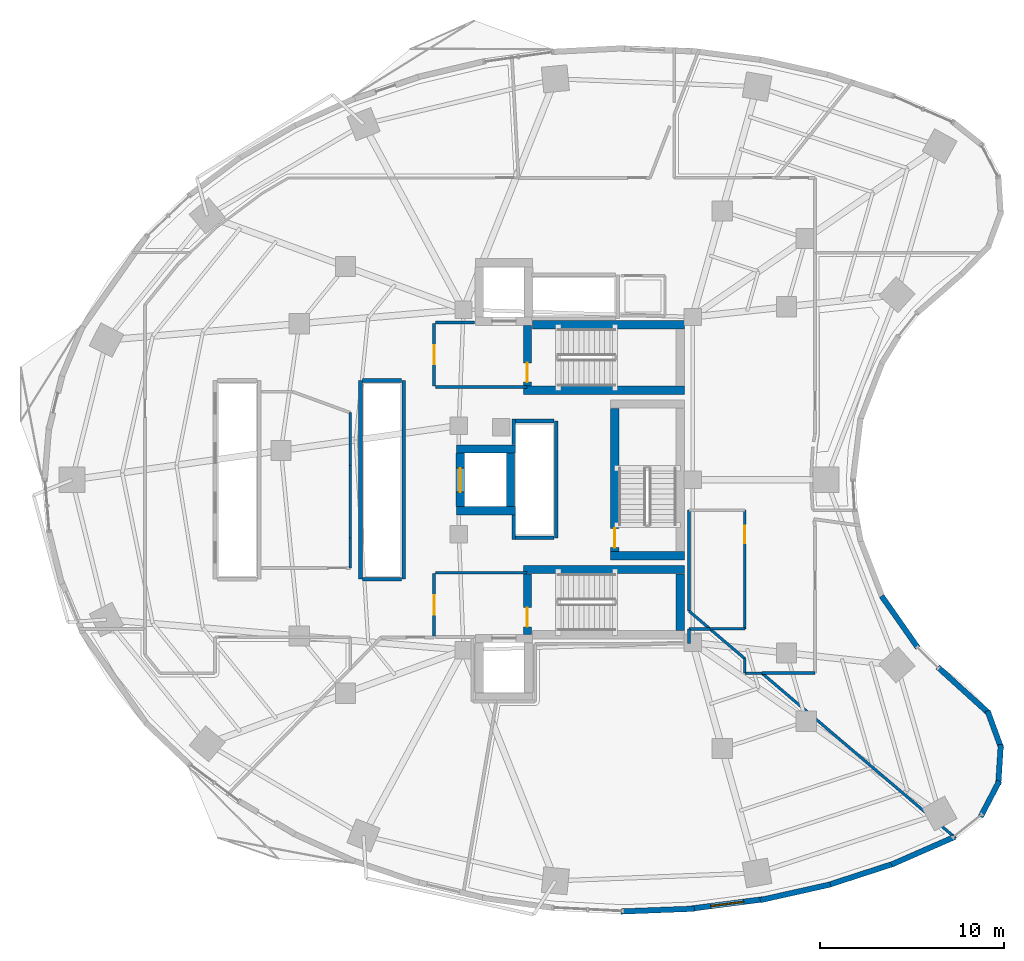
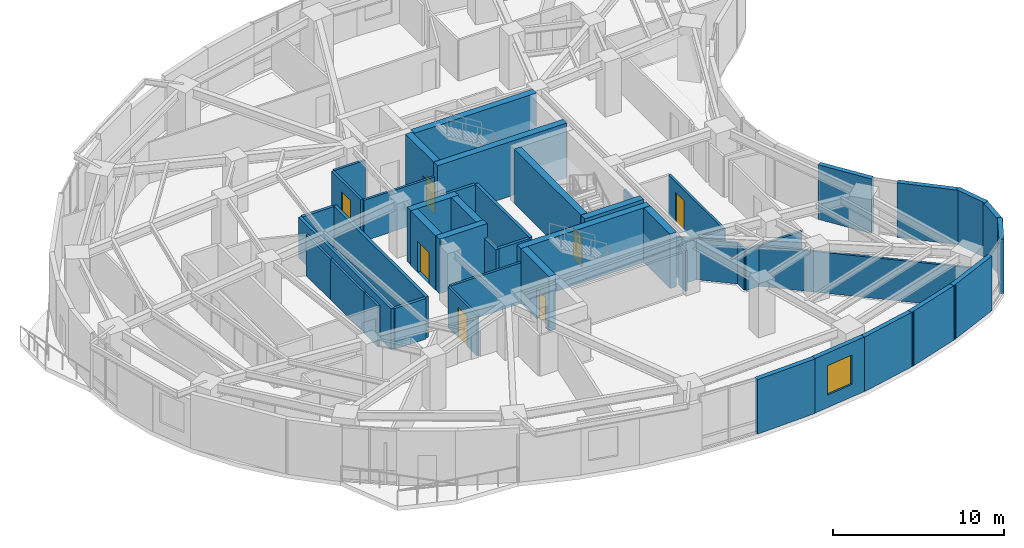
# One storey, part 9 of 14: 50 walls, 7 doors, 1 window, 8 openings.
"""IFC4 building model written with IfcOpenShell, lengths in metres."""

from ifc_helpers import new_model, si_unit, direction, frame, frame_2d, origin, place, context, subcontext, project, spatial, rectangle, extrude, material, layer, layer_set, type_object, element, fill, save


model = new_model("IFC4")

# Units and contexts
model_context = context("Model", 3, precision=1e-05, world=origin(), true_north=direction((0.0, 1.0)))
body_context = subcontext(model_context, "Body", "Model", "MODEL_VIEW")
ifc_project = project(units=[si_unit("LENGTHUNIT", "METRE"), si_unit("AREAUNIT", "SQUARE_METRE"), si_unit("VOLUMEUNIT", "CUBIC_METRE"), si_unit("PLANEANGLEUNIT", "RADIAN"), si_unit("MASSUNIT", "GRAM", prefix="KILO")], contexts=[model_context])

# Site, building, storey
site_placement = place(None, origin())
site = spatial("IfcSite", under=ifc_project, at=site_placement, CompositionType="ELEMENT")
building_placement = place(site_placement, origin())
building = spatial("IfcBuilding", under=site, at=building_placement, Name="Korentha Bioscience Tower", CompositionType="ELEMENT")
storey_placement = place(building_placement, frame((0.0, 0.0, 51.0)))
storey = spatial("IfcBuildingStorey", under=building, at=storey_placement, Name="L11", CompositionType="ELEMENT", Elevation=51.0)

# Wall, opening, door
ifc_material_1 = material(Name="Double-Stud Acoustic Gypsum", Category="gypsum")
ifc_layer_1 = layer(ifc_material_1, 0.14990234375, Name="Double-Stud Acoustic Gypsum")
ifc_layer_set_1 = layer_set([ifc_layer_1], Name="Double-Stud Acoustic Gypsum (IW-L150)")
wall_type_1 = type_object("IfcWallType", Name="Acoustic Laboratory Partition Wall 150", PredefinedType="PARTITIONING", material=ifc_layer_set_1)
wall_1_placement = place(storey_placement, frame((40.389892578125, 25.347900390625, 0.0), z_axis=(0.0, 0.0, 1.0), x_axis=(0.0, -1.0, 0.0)))
wall_1 = element("IfcWall", 1, at=wall_1_placement, inside=storey, type_object=wall_type_1, Name="L11 Biomechanical Motion Analysis Lab 04 Entrance Wall", PredefinedType="PARTITIONING", context=body_context, shape_type="SweptSolid", body=[
    extrude(rectangle(XDim=6.44580078125, YDim=0.14990234375, at=frame_2d((3.222900390625, 0.0))), origin(), (0.0, 0.0, 1.0), 2.909912109375),
])
opening_1_placement = place(wall_1_placement, frame((0.85205078125, 0.0, 0.0)))
opening_1 = element("IfcOpeningElement", 2, at=opening_1_placement, cuts=wall_1, Name="Opening ID-10R", PredefinedType="OPENING", context=body_context, shape_type="SweptSolid", body=[
    extrude(rectangle(XDim=0.949951171875, YDim=2.14990234375, at=frame_2d((0.47509765625, 1.074951171875))), frame((0.0, 0.08984375, 0.0), z_axis=(0.0, -1.0, 0.0), x_axis=(1.0, 0.0, 0.0)), (0.0, 0.0, 1.0), 0.1796875),
])
ifc_material_2 = material(Name="Phenolic Laminate Timber Core", Category="wood")
door_type_1 = type_object("IfcDoorType", Name="Laboratory Single Leaf Door 950x2150 Right", OperationType="SINGLE_SWING_RIGHT", PredefinedType="DOOR", material=ifc_material_2)
door_1_placement = place(opening_1_placement, origin())
door_1 = element("IfcDoor", 3, at=door_1_placement, inside=storey, type_object=door_type_1, Name="L11 Biomechanical Motion Analysis Lab 04 Door", OperationType="SINGLE_SWING_RIGHT", OverallHeight=2.14990234375, OverallWidth=0.949951171875, PredefinedType="DOOR", context=body_context, shape_type="SweptSolid", body=[
    extrude(rectangle(XDim=0.949951171875, YDim=2.14990234375, at=frame_2d((0.47509765625, 1.074951171875))), frame((0.0, 0.02490234375, 0.0), z_axis=(0.0, -1.0, 0.0), x_axis=(1.0, 0.0, 0.0)), (0.0, 0.0, 1.0), 0.050048828125),
])
fill(opening_1, door_1)

# Walls
wall_2_placement = place(storey_placement, frame((18.947998046875, 30.646728515625, 0.0), z_axis=(0.0, 0.0, 1.0), x_axis=(0.0, -1.0, 0.0)))
element("IfcWall", 4, at=wall_2_placement, inside=storey, type_object=wall_type_1, Name="L11 Interior Partition 017", PredefinedType="PARTITIONING", context=body_context, shape_type="SweptSolid", body=[
    extrude(rectangle(XDim=2.873291015625, YDim=0.14990234375, at=frame_2d((1.4365234375, 0.0))), origin(), (0.0, 0.0, 1.0), 2.909912109375),
])
wall_3_placement = place(storey_placement, frame((18.947998046875, 27.769287109375, 0.0), z_axis=(0.0, 0.0, 1.0), x_axis=(0.0, -1.0, 0.0)))
element("IfcWall", 5, at=wall_3_placement, inside=storey, type_object=wall_type_1, Name="L11 Interior Partition 018", PredefinedType="PARTITIONING", context=body_context, shape_type="SweptSolid", body=[
    extrude(rectangle(XDim=3.927978515625, YDim=0.14990234375, at=frame_2d((1.9638671875, 0.0))), origin(), (0.0, 0.0, 1.0), 2.909912109375),
])
wall_4_placement = place(storey_placement, frame((18.947998046875, 23.836669921875, 0.0), z_axis=(0.0, 0.0, 1.0), x_axis=(0.0, -1.0, 0.0)))
element("IfcWall", 6, at=wall_4_placement, inside=storey, type_object=wall_type_1, Name="L11 Interior Partition 019", PredefinedType="PARTITIONING", context=body_context, shape_type="SweptSolid", body=[
    extrude(rectangle(XDim=1.626708984375, YDim=0.14990234375, at=frame_2d((0.8134765625, 0.0))), origin(), (0.0, 0.0, 1.0), 2.909912109375),
])
wall_5_placement = place(storey_placement, frame((37.360107421875, 18.10009765625, 0.0), z_axis=(0.0, 0.0, 1.0), x_axis=(0.0, 1.0, 0.0)))
element("IfcWall", 7, at=wall_5_placement, inside=storey, type_object=wall_type_1, Name="L11 Interior Partition 033", PredefinedType="PARTITIONING", context=body_context, shape_type="SweptSolid", body=[
    extrude(rectangle(XDim=0.7978515625, YDim=0.14990234375, at=frame_2d((0.39892578125, 0.0))), origin(), (0.0, 0.0, 1.0), 2.909912109375),
])
wall_6_placement = place(storey_placement, frame((37.360107421875, 18.89794921875, 0.0), z_axis=(0.0, 0.0, 1.0), x_axis=(1.0, 0.0, 0.0)))
element("IfcWall", 8, at=wall_6_placement, inside=storey, type_object=wall_type_1, Name="L11 Interior Partition 034", PredefinedType="PARTITIONING", context=body_context, shape_type="SweptSolid", body=[
    extrude(rectangle(XDim=1.12548828125, YDim=0.14990234375, at=frame_2d((0.562744140625, 0.0))), origin(), (0.0, 0.0, 1.0), 2.909912109375),
])
wall_7_placement = place(storey_placement, frame((38.48828125, 18.905029296875, 0.0), z_axis=(0.0, 0.0, 1.0), x_axis=(-0.761520352861, 0.648140997144, 0.0)))
element("IfcWall", 9, at=wall_7_placement, inside=storey, type_object=wall_type_1, Name="L11 Interior Partition 035", PredefinedType="PARTITIONING", context=body_context, shape_type="SweptSolid", body=[
    extrude(rectangle(XDim=1.4814453125, YDim=0.14990234375, at=frame_2d((0.74072265625, 0.0))), origin(), (0.0, 0.0, 1.0), 2.909912109375),
])
wall_8_placement = place(storey_placement, frame((37.360107421875, 19.865234375, 0.0), z_axis=(0.0, 0.0, 1.0), x_axis=(0.0, 1.0, 0.0)))
element("IfcWall", 10, at=wall_8_placement, inside=storey, type_object=wall_type_1, Name="L11 Interior Partition 036", PredefinedType="PARTITIONING", context=body_context, shape_type="SweptSolid", body=[
    extrude(rectangle(XDim=5.482666015625, YDim=0.14990234375, at=frame_2d((2.7412109375, 0.0))), origin(), (0.0, 0.0, 1.0), 2.909912109375),
])
wall_9_placement = place(storey_placement, frame((40.389892578125, 18.902099609375, 0.0), z_axis=(0.0, 0.0, 1.0), x_axis=(-1.0, 0.0, 0.0)))
element("IfcWall", 11, at=wall_9_placement, inside=storey, type_object=wall_type_1, Name="L11 Interior Partition 038", PredefinedType="PARTITIONING", context=body_context, shape_type="SweptSolid", body=[
    extrude(rectangle(XDim=1.893310546875, YDim=0.14990234375, at=frame_2d((0.94677734375, 0.0))), origin(), (0.0, 0.0, 1.0), 2.909912109375),
])
wall_10_placement = place(storey_placement, frame((38.493896484375, 18.89501953125, 0.0), z_axis=(0.0, 0.0, 1.0), x_axis=(0.761508496716, -0.648154927027, 0.0)))
element("IfcWall", 12, at=wall_10_placement, inside=storey, type_object=wall_type_1, Name="L11 Interior Partition 039", PredefinedType="PARTITIONING", context=body_context, shape_type="SweptSolid", body=[
    extrude(rectangle(XDim=2.48974609375, YDim=0.14990234375, at=frame_2d((1.244873046875, 0.0))), origin(), (0.0, 0.0, 1.0), 2.909912109375),
])
wall_11_placement = place(storey_placement, frame((40.389892578125, 17.28125, 0.0), z_axis=(0.0, 0.0, 1.0), x_axis=(0.0, -1.0, 0.0)))
element("IfcWall", 13, at=wall_11_placement, inside=storey, type_object=wall_type_1, Name="L11 Interior Partition 040", PredefinedType="PARTITIONING", context=body_context, shape_type="SweptSolid", body=[
    extrude(rectangle(XDim=0.78125, YDim=0.14990234375, at=frame_2d((0.390625, 0.0))), origin(), (0.0, 0.0, 1.0), 2.909912109375),
])
wall_12_placement = place(storey_placement, frame((40.39990234375, 16.489990234375, 0.0), z_axis=(0.0, 0.0, 1.0), x_axis=(1.0, 0.0, 0.0)))
element("IfcWall", 14, at=wall_12_placement, inside=storey, type_object=wall_type_1, Name="L11 Interior Partition 041", PredefinedType="PARTITIONING", context=body_context, shape_type="SweptSolid", body=[
    extrude(rectangle(XDim=0.919677734375, YDim=0.14990234375, at=frame_2d((0.4599609375, 0.0))), origin(), (0.0, 0.0, 1.0), 2.909912109375),
])
wall_13_placement = place(storey_placement, frame((41.319580078125, 16.489990234375, 0.0), z_axis=(0.0, 0.0, 1.0), x_axis=(0.761541613682, -0.648116016335, 0.0)))
element("IfcWall", 15, at=wall_13_placement, inside=storey, type_object=wall_type_1, Name="L11 Interior Partition 042", PredefinedType="PARTITIONING", context=body_context, shape_type="SweptSolid", body=[
    extrude(rectangle(XDim=13.833740234375, YDim=0.14990234375, at=frame_2d((6.9169921875, 0.0))), origin(), (0.0, 0.0, 1.0), 2.909912109375),
])

# Wall, opening, door
ifc_material_3 = material(Name="Gypsum-Clad Steel Stud", Category="steel")
ifc_layer_2 = layer(ifc_material_3, 0.159912109375, Name="Gypsum-Clad Steel Stud")
ifc_layer_set_2 = layer_set([ifc_layer_2], Name="Gypsum-Clad Steel Stud (IW-C160)")
wall_type_2 = type_object("IfcWallType", Name="Fire-Rated Corridor Partition Wall 160", PredefinedType="PARTITIONING", material=ifc_layer_set_2)
wall_14_placement = place(storey_placement, frame((23.5, 32.10009765625, 0.0), z_axis=(0.0, 0.0, 1.0), x_axis=(0.0, 1.0, 0.0)))
wall_14 = element("IfcWall", 16, at=wall_14_placement, inside=storey, type_object=wall_type_2, Name="L11 FFLN-CW Rated Enclosure Wall", PredefinedType="PARTITIONING", context=body_context, shape_type="SweptSolid", body=[
    extrude(rectangle(XDim=3.39990234375, YDim=0.159912109375, at=frame_2d((1.699951171875, 0.0))), origin(), (0.0, 0.0, 1.0), 2.909912109375),
])
opening_2_placement = place(wall_14_placement, frame((1.175048828125, 0.0, 0.0)))
opening_2 = element("IfcOpeningElement", 17, at=opening_2_placement, cuts=wall_14, Name="Opening FD-90R", PredefinedType="OPENING", context=body_context, shape_type="SweptSolid", body=[
    extrude(rectangle(XDim=1.050048828125, YDim=2.14990234375, at=frame_2d((0.52490234375, 1.074951171875))), frame((0.0, 0.0947265625, 0.0), z_axis=(0.0, -1.0, 0.0), x_axis=(1.0, 0.0, 0.0)), (0.0, 0.0, 1.0), 0.189697265625),
])
ifc_material_4 = material(Name="Powder-Coated Fire-Rated Steel", Category="steel")
door_type_2 = type_object("IfcDoorType", Name="Stairwell Fire Exit Door 1050x2150 Right", OperationType="SINGLE_SWING_RIGHT", PredefinedType="DOOR", material=ifc_material_4)
door_2_placement = place(opening_2_placement, origin())
door_2 = element("IfcDoor", 18, at=door_2_placement, inside=storey, type_object=door_type_2, Name="L11 North Firefighting Lobby Door", OperationType="SINGLE_SWING_RIGHT", OverallHeight=2.14990234375, OverallWidth=1.050048828125, PredefinedType="DOOR", context=body_context, shape_type="SweptSolid", body=[
    extrude(rectangle(XDim=1.050048828125, YDim=2.14990234375, at=frame_2d((0.52490234375, 1.074951171875))), frame((0.0, 0.02490234375, 0.0), z_axis=(0.0, -1.0, 0.0), x_axis=(1.0, 0.0, 0.0)), (0.0, 0.0, 1.0), 0.050048828125),
])
fill(opening_2, door_2)

wall_15_placement = place(storey_placement, frame((23.5, 18.5, 0.0), z_axis=(0.0, 0.0, 1.0), x_axis=(0.0, 1.0, 0.0)))
wall_15 = element("IfcWall", 19, at=wall_15_placement, inside=storey, type_object=wall_type_2, Name="L11 FFLS-CW Rated Enclosure Wall", PredefinedType="PARTITIONING", context=body_context, shape_type="SweptSolid", body=[
    extrude(rectangle(XDim=3.39990234375, YDim=0.159912109375, at=frame_2d((1.699951171875, 0.0))), origin(), (0.0, 0.0, 1.0), 2.909912109375),
])
opening_3_placement = place(wall_15_placement, frame((1.175048828125, 0.0, 0.0)))
opening_3 = element("IfcOpeningElement", 20, at=opening_3_placement, cuts=wall_15, Name="Opening FD-90R", PredefinedType="OPENING", context=body_context, shape_type="SweptSolid", body=[
    extrude(rectangle(XDim=1.050048828125, YDim=2.14990234375, at=frame_2d((0.52490234375, 1.074951171875))), frame((0.0, 0.0947265625, 0.0), z_axis=(0.0, -1.0, 0.0), x_axis=(1.0, 0.0, 0.0)), (0.0, 0.0, 1.0), 0.189697265625),
])
door_3_placement = place(opening_3_placement, origin())
door_3 = element("IfcDoor", 21, at=door_3_placement, inside=storey, type_object=door_type_2, Name="L11 South Firefighting Lobby Door", OperationType="SINGLE_SWING_RIGHT", OverallHeight=2.14990234375, OverallWidth=1.050048828125, PredefinedType="DOOR", context=body_context, shape_type="SweptSolid", body=[
    extrude(rectangle(XDim=1.050048828125, YDim=2.14990234375, at=frame_2d((0.52490234375, 1.074951171875))), frame((0.0, 0.02490234375, 0.0), z_axis=(0.0, -1.0, 0.0), x_axis=(1.0, 0.0, 0.0)), (0.0, 0.0, 1.0), 0.050048828125),
])
fill(opening_3, door_3)

# Walls
wall_16_placement = place(storey_placement, frame((23.580078125, 32.050048828125, 0.0), z_axis=(0.0, 0.0, 1.0), x_axis=(1.0, 0.0, 0.0)))
element("IfcWall", 22, at=wall_16_placement, inside=storey, type_object=wall_type_2, Name="L11 Firefighting Lobby Return Wall FFLN-S", PredefinedType="PARTITIONING", context=body_context, shape_type="SweptSolid", body=[
    extrude(rectangle(XDim=4.969970703125, YDim=0.159912109375, at=frame_2d((2.48486328125, 0.0))), origin(), (0.0, 0.0, 1.0), 2.909912109375),
])
wall_17_placement = place(storey_placement, frame((23.580078125, 35.550048828125, 0.0), z_axis=(0.0, 0.0, 1.0), x_axis=(1.0, 0.0, 0.0)))
element("IfcWall", 23, at=wall_17_placement, inside=storey, type_object=wall_type_2, Name="L11 Firefighting Lobby Return Wall FFLN-N", PredefinedType="PARTITIONING", context=body_context, shape_type="SweptSolid", body=[
    extrude(rectangle(XDim=2.119873046875, YDim=0.159912109375, at=frame_2d((1.06005859375, 0.0))), origin(), (0.0, 0.0, 1.0), 2.909912109375),
])
wall_18_placement = place(storey_placement, frame((23.580078125, 21.949951171875, 0.0), z_axis=(0.0, 0.0, 1.0), x_axis=(1.0, 0.0, 0.0)))
element("IfcWall", 24, at=wall_18_placement, inside=storey, type_object=wall_type_2, Name="L11 Firefighting Lobby Return Wall FFLS-N", PredefinedType="PARTITIONING", context=body_context, shape_type="SweptSolid", body=[
    extrude(rectangle(XDim=4.969970703125, YDim=0.159912109375, at=frame_2d((2.48486328125, 0.0))), origin(), (0.0, 0.0, 1.0), 2.909912109375),
])
wall_19_placement = place(storey_placement, frame((41.335205078125, 16.489990234375, 0.0), z_axis=(0.0, 0.0, 1.0), x_axis=(1.0, 0.0, 0.0)))
element("IfcWall", 25, at=wall_19_placement, inside=storey, type_object=wall_type_2, Name="L11 Interior Partition 044", PredefinedType="PARTITIONING", context=body_context, shape_type="SweptSolid", body=[
    extrude(rectangle(XDim=2.86474609375, YDim=0.159912109375, at=frame_2d((1.432373046875, 0.0))), origin(), (0.0, 0.0, 1.0), 2.909912109375),
])

# Wall, opening, window
ifc_material_5 = material(Name="Honed Limestone Precast Concrete C40", Category="masonry")
ifc_layer_3 = layer(ifc_material_5, 0.300048828125, Name="Honed Limestone Precast Concrete C40")
ifc_layer_set_3 = layer_set([ifc_layer_3], Name="Honed Limestone Precast Concrete C40 (EW-ST300)")
wall_type_3 = type_object("IfcWallType", Name="Honed Limestone Cavity Spandrel Wall 300", PredefinedType="STANDARD", material=ifc_layer_set_3)
wall_20_placement = place(storey_placement, frame((37.4892578125, 3.7001953125, 0.0), z_axis=(0.0, 0.0, 1.0), x_axis=(0.991741322416, 0.128254237408, 0.0)))
wall_20 = element("IfcWall", 26, at=wall_20_placement, inside=storey, type_object=wall_type_3, Name="L11 Honed Limestone Spandrel Wall 33", PredefinedType="STANDARD", context=body_context, shape_type="SweptSolid", body=[
    extrude(rectangle(XDim=3.91552734375, YDim=0.300048828125, at=frame_2d((1.957763671875, 0.0))), origin(), (0.0, 0.0, 1.0), 3.89990234375),
])
opening_4_placement = place(wall_20_placement, frame((1.057861328125, 0.0, 0.89990234375)))
opening_4 = element("IfcOpeningElement", 27, at=opening_4_placement, cuts=wall_20, Name="Opening WN-01", PredefinedType="OPENING", context=body_context, shape_type="SweptSolid", body=[
    extrude(rectangle(XDim=1.800048828125, YDim=2.10009765625, at=frame_2d((0.89990234375, 1.050048828125))), frame((0.0, 0.1650390625, 0.0), z_axis=(0.0, -1.0, 0.0), x_axis=(1.0, 0.0, 0.0)), (0.0, 0.0, 1.0), 0.329833984375),
])
ifc_material_6 = material(Name="Thermally Broken Aluminium Triple Glazing", Category="aluminium")
window_type = type_object("IfcWindowType", Name="Triple-Glazed Fixed Bioscience Window 1800x2100", PartitioningType="SINGLE_PANEL", PredefinedType="WINDOW", material=ifc_material_6)
window_placement = place(opening_4_placement, origin())
window = element("IfcWindow", 28, at=window_placement, inside=storey, type_object=window_type, Name="L11 Facade Window 33", OverallHeight=2.10009765625, OverallWidth=1.800048828125, PartitioningType="SINGLE_PANEL", PredefinedType="WINDOW", context=body_context, shape_type="SweptSolid", body=[
    extrude(rectangle(XDim=1.800048828125, YDim=2.10009765625, at=frame_2d((0.89990234375, 1.050048828125))), frame((0.0, 0.030029296875, 0.0), z_axis=(0.0, -1.0, 0.0), x_axis=(1.0, 0.0, 0.0)), (0.0, 0.0, 1.0), 0.06005859375),
])
fill(opening_4, window)

# Walls
wall_21_placement = place(storey_placement, frame((33.66796875, 3.53759765625, 0.0), z_axis=(0.0, 0.0, 1.0), x_axis=(0.999245411623, 0.038840794937, 0.0)))
element("IfcWall", 29, at=wall_21_placement, inside=storey, type_object=wall_type_3, Name="L11 Limestone Perimeter Closure Wall 32", PredefinedType="STANDARD", context=body_context, shape_type="SweptSolid", body=[
    extrude(rectangle(XDim=3.978759765625, YDim=0.300048828125, at=frame_2d((1.9892578125, 0.0))), origin(), (0.0, 0.0, 1.0), 3.89990234375),
])
wall_22_placement = place(storey_placement, frame((41.22509765625, 4.1552734375, 0.0), z_axis=(0.0, 0.0, 1.0), x_axis=(0.975868573345, 0.218358713032, 0.0)))
element("IfcWall", 30, at=wall_22_placement, inside=storey, type_object=wall_type_3, Name="L11 Limestone Perimeter Closure Wall 34", PredefinedType="STANDARD", context=body_context, shape_type="SweptSolid", body=[
    extrude(rectangle(XDim=3.90869140625, YDim=0.300048828125, at=frame_2d((1.954345703125, 0.0))), origin(), (0.0, 0.0, 1.0), 3.89990234375),
])
wall_23_placement = place(storey_placement, frame((44.872802734375, 4.963134765625, 0.0), z_axis=(0.0, 0.0, 1.0), x_axis=(0.950965833732, 0.309295947393, 0.0)))
element("IfcWall", 31, at=wall_23_placement, inside=storey, type_object=wall_type_3, Name="L11 Limestone Perimeter Closure Wall 35", PredefinedType="STANDARD", context=body_context, shape_type="SweptSolid", body=[
    extrude(rectangle(XDim=3.840087890625, YDim=0.300048828125, at=frame_2d((1.919921875, 0.0))), origin(), (0.0, 0.0, 1.0), 3.89990234375),
])
wall_24_placement = place(storey_placement, frame((48.3623046875, 6.089111328125, 0.0), z_axis=(0.0, 0.0, 1.0), x_axis=(0.915945168042, 0.401303437738, 0.0)))
element("IfcWall", 32, at=wall_24_placement, inside=storey, type_object=wall_type_3, Name="L11 Limestone Perimeter Closure Wall 36", PredefinedType="STANDARD", context=body_context, shape_type="SweptSolid", body=[
    extrude(rectangle(XDim=3.75244140625, YDim=0.300048828125, at=frame_2d((1.876220703125, 0.0))), origin(), (0.0, 0.0, 1.0), 3.89990234375),
])
wall_25_placement = place(storey_placement, frame((53.20751953125, 8.691650390625, 0.0), z_axis=(0.0, 0.0, 1.0), x_axis=(0.463035066673, 0.886339961319, 0.0)))
element("IfcWall", 33, at=wall_25_placement, inside=storey, type_object=wall_type_3, Name="L11 Limestone Perimeter Closure Wall 38", PredefinedType="STANDARD", context=body_context, shape_type="SweptSolid", body=[
    extrude(rectangle(XDim=2.1875, YDim=0.300048828125, at=frame_2d((1.09375, 0.0))), origin(), (0.0, 0.0, 1.0), 3.89990234375),
])
for number, where, z_axis, x_axis, name in (
    (34, (54.16259765625, 10.42431640625, 0.0), (0.0, 0.0, 1.0), (0.064615302336, 0.99791024782, 0.0), "L11 Limestone Perimeter Closure Wall 39"),
    (35, (54.334716796875, 12.39501953125, 0.0), (0.0, 0.0, 1.0), (-0.344939866054, 0.938624785954, 0.0), "L11 Limestone Perimeter Closure Wall 40"),
):
    element("IfcWall", number, at=place(storey_placement, frame(where, z_axis=z_axis, x_axis=x_axis)), inside=storey, type_object=wall_type_3, Name=name, PredefinedType="STANDARD", context=body_context, shape_type="SweptSolid", body=[
        extrude(rectangle(XDim=2.187744140625, YDim=0.300048828125, at=frame_2d((1.09375, 0.0))), origin(), (0.0, 0.0, 1.0), 3.89990234375),
    ])
wall_26_placement = place(storey_placement, frame((53.704345703125, 14.26416015625, 0.0), z_axis=(0.0, 0.0, 1.0), x_axis=(-0.74117794387, 0.671308614216, 0.0)))
element("IfcWall", 36, at=wall_26_placement, inside=storey, type_object=wall_type_3, Name="L11 Limestone Perimeter Closure Wall 41", PredefinedType="STANDARD", context=body_context, shape_type="SweptSolid", body=[
    extrude(rectangle(XDim=3.815673828125, YDim=0.300048828125, at=frame_2d((1.90771484375, 0.0))), origin(), (0.0, 0.0, 1.0), 3.89990234375),
])
wall_27_placement = place(storey_placement, frame((49.79248046875, 17.8779296875, 0.0), z_axis=(0.0, 0.0, 1.0), x_axis=(-0.573576992806, 0.819151654655, 0.0)))
element("IfcWall", 37, at=wall_27_placement, inside=storey, type_object=wall_type_3, Name="L11 Limestone Perimeter Closure Wall 44", PredefinedType="STANDARD", context=body_context, shape_type="SweptSolid", body=[
    extrude(rectangle(XDim=3.429931640625, YDim=0.300048828125, at=frame_2d((1.71484375, 0.0))), origin(), (0.0, 0.0, 1.0), 3.89990234375),
])
ifc_material_7 = material(Name="Autoclaved Aerated Concrete Block C25", Category="concrete")
ifc_layer_4 = layer(ifc_material_7, 0.199951171875, Name="Autoclaved Aerated Concrete Block C25")
ifc_layer_set_4 = layer_set([ifc_layer_4], Name="Autoclaved Aerated Concrete Block C25 (IW-S200)")
wall_type_4 = type_object("IfcWallType", Name="Lift and Riser Shaft Enclosure Wall 200", PredefinedType="PARTITIONING", material=ifc_layer_set_4)
for number, where, z_axis, x_axis, name in (
    (38, (19.5, 21.60009765625, 0.0), (0.0, 0.0, 1.0), (0.0, 1.0, 0.0), "L11 Lift Bank MID Shaft Wall -X"),
    (39, (21.85009765625, 21.60009765625, 0.0), (0.0, 0.0, 1.0), (0.0, 1.0, 0.0), "L11 Lift Bank MID Shaft Wall +X"),
):
    element("IfcWall", number, at=place(storey_placement, frame(where, z_axis=z_axis, x_axis=x_axis)), inside=storey, type_object=wall_type_4, Name=name, PredefinedType="PARTITIONING", context=body_context, shape_type="SweptSolid", body=[
        extrude(rectangle(XDim=10.7998046875, YDim=0.199951171875, at=frame_2d((5.39990234375, 0.0))), origin(), (0.0, 0.0, 1.0), 2.909912109375),
    ])
for number, where, z_axis, x_axis, name in (
    (40, (19.6201171875, 21.60009765625, 0.0), (0.0, 0.0, 1.0), (1.0, 0.0, 0.0), "L11 Lift Bank MID Shaft Wall -Y"),
    (41, (19.6201171875, 32.39990234375, 0.0), (0.0, 0.0, 1.0), (1.0, 0.0, 0.0), "L11 Lift Bank MID Shaft Wall +Y"),
):
    element("IfcWall", number, at=place(storey_placement, frame(where, z_axis=z_axis, x_axis=x_axis)), inside=storey, type_object=wall_type_4, Name=name, PredefinedType="PARTITIONING", context=body_context, shape_type="SweptSolid", body=[
        extrude(rectangle(XDim=2.10986328125, YDim=0.199951171875, at=frame_2d((1.054931640625, 0.0))), origin(), (0.0, 0.0, 1.0), 2.909912109375),
    ])
wall_28_placement = place(storey_placement, frame((27.830078125, 23.75, 0.0), z_axis=(0.0, 0.0, 1.0), x_axis=(0.0, 1.0, 0.0)))
element("IfcWall", 42, at=wall_28_placement, inside=storey, type_object=wall_type_4, Name="L11 Lift Bank HIGH Shaft Wall -XS", PredefinedType="PARTITIONING", context=body_context, shape_type="SweptSolid", body=[
    extrude(rectangle(XDim=1.341064453125, YDim=0.199951171875, at=frame_2d((0.67041015625, 0.0))), origin(), (0.0, 0.0, 1.0), 2.909912109375),
])
wall_29_placement = place(storey_placement, frame((27.830078125, 28.908935546875, 0.0), z_axis=(0.0, 0.0, 1.0), x_axis=(0.0, 1.0, 0.0)))
element("IfcWall", 43, at=wall_29_placement, inside=storey, type_object=wall_type_4, Name="L11 Lift Bank HIGH Shaft Wall -XN", PredefinedType="PARTITIONING", context=body_context, shape_type="SweptSolid", body=[
    extrude(rectangle(XDim=1.39111328125, YDim=0.199951171875, at=frame_2d((0.695556640625, 0.0))), origin(), (0.0, 0.0, 1.0), 2.909912109375),
])
wall_30_placement = place(storey_placement, frame((30.14990234375, 23.85009765625, 0.0), z_axis=(0.0, 0.0, 1.0), x_axis=(0.0, 1.0, 0.0)))
element("IfcWall", 44, at=wall_30_placement, inside=storey, type_object=wall_type_4, Name="L11 Lift Bank HIGH Shaft Wall +X", PredefinedType="PARTITIONING", context=body_context, shape_type="SweptSolid", body=[
    extrude(rectangle(XDim=6.349853515625, YDim=0.199951171875, at=frame_2d((3.1748046875, 0.0))), origin(), (0.0, 0.0, 1.0), 2.909912109375),
])
for number, where, z_axis, x_axis, name in (
    (45, (27.93408203125, 23.85009765625, 0.0), (0.0, 0.0, 1.0), (1.0, 0.0, 0.0), "L11 Lift Bank HIGH Shaft Wall -Y"),
    (46, (27.93408203125, 30.199951171875, 0.0), (0.0, 0.0, 1.0), (1.0, 0.0, 0.0), "L11 Lift Bank HIGH Shaft Wall +Y"),
):
    element("IfcWall", number, at=place(storey_placement, frame(where, z_axis=z_axis, x_axis=x_axis)), inside=storey, type_object=wall_type_4, Name=name, PredefinedType="PARTITIONING", context=body_context, shape_type="SweptSolid", body=[
        extrude(rectangle(XDim=2.095947265625, YDim=0.199951171875, at=frame_2d((1.0478515625, 0.0))), origin(), (0.0, 0.0, 1.0), 2.909912109375),
    ])
ifc_material_8 = material(Name="Concrete C80", Category="concrete")
ifc_layer_5 = layer(ifc_material_8, 0.449951171875, Name="Concrete C80")
ifc_layer_set_5 = layer_set([ifc_layer_5], Name="Concrete C80 (CW-C80)")
wall_type_5 = type_object("IfcWallType", Name="Lower Core Shear Wall 450", PredefinedType="SHEAR", material=ifc_layer_set_5)
wall_31_placement = place(storey_placement, frame((28.85205078125, 35.425048828125, 0.0), z_axis=(0.0, 0.0, 1.0), x_axis=(1.0, 0.0, 0.0)))
element("IfcWall", 47, at=wall_31_placement, inside=storey, type_object=wall_type_5, Name="L11 Core Shear Wall ST1-N", PredefinedType="SHEAR", context=body_context, shape_type="SweptSolid", body=[
    extrude(rectangle(XDim=8.248046875, YDim=0.449951171875, at=frame_2d((4.1240234375, 0.0))), origin(), (0.0, 0.0, 1.0), 3.89990234375),
])
wall_32_placement = place(storey_placement, frame((28.35009765625, 31.875, 0.0), z_axis=(0.0, 0.0, 1.0), x_axis=(1.0, 0.0, 0.0)))
element("IfcWall", 48, at=wall_32_placement, inside=storey, type_object=wall_type_5, Name="L11 Core Shear Wall ST1-S", PredefinedType="SHEAR", context=body_context, shape_type="SweptSolid", body=[
    extrude(rectangle(XDim=8.75, YDim=0.449951171875, at=frame_2d((4.375, 0.0))), origin(), (0.0, 0.0, 1.0), 3.89990234375),
])

# Wall, opening, door
wall_33_placement = place(storey_placement, frame((28.574951171875, 32.110107421875, 0.0), z_axis=(0.0, 0.0, 1.0), x_axis=(0.0, 1.0, 0.0)))
wall_33 = element("IfcWall", 49, at=wall_33_placement, inside=storey, type_object=wall_type_5, Name="L11 Core Shear Wall ST1-W", PredefinedType="SHEAR", context=body_context, shape_type="SweptSolid", body=[
    extrude(rectangle(XDim=3.282958984375, YDim=0.449951171875, at=frame_2d((1.6416015625, 0.0))), origin(), (0.0, 0.0, 1.0), 3.89990234375),
])
opening_5_placement = place(wall_33_placement, frame((0.199951171875, 0.0, 0.0)))
opening_5 = element("IfcOpeningElement", 50, at=opening_5_placement, cuts=wall_33, Name="Opening FD-90R", PredefinedType="OPENING", context=body_context, shape_type="SweptSolid", body=[
    extrude(rectangle(XDim=1.050048828125, YDim=2.14990234375, at=frame_2d((0.52490234375, 1.074951171875))), frame((0.0, 0.23974609375, 0.0), z_axis=(0.0, -1.0, 0.0), x_axis=(1.0, 0.0, 0.0)), (0.0, 0.0, 1.0), 0.479736328125),
])
door_4_placement = place(opening_5_placement, origin())
door_4 = element("IfcDoor", 51, at=door_4_placement, inside=storey, type_object=door_type_2, Name="L11 ST-1 Fire Exit Stair Door", OperationType="SINGLE_SWING_RIGHT", OverallHeight=2.14990234375, OverallWidth=1.050048828125, PredefinedType="DOOR", context=body_context, shape_type="SweptSolid", body=[
    extrude(rectangle(XDim=1.050048828125, YDim=2.14990234375, at=frame_2d((0.52490234375, 1.074951171875))), frame((0.0, 0.02490234375, 0.0), z_axis=(0.0, -1.0, 0.0), x_axis=(1.0, 0.0, 0.0)), (0.0, 0.0, 1.0), 0.050048828125),
])
fill(opening_5, door_4)

# Walls
wall_34_placement = place(storey_placement, frame((28.35009765625, 22.125, 0.0), z_axis=(0.0, 0.0, 1.0), x_axis=(1.0, 0.0, 0.0)))
element("IfcWall", 52, at=wall_34_placement, inside=storey, type_object=wall_type_5, Name="L11 Core Shear Wall ST2-N", PredefinedType="SHEAR", context=body_context, shape_type="SweptSolid", body=[
    extrude(rectangle(XDim=8.75, YDim=0.449951171875, at=frame_2d((4.375, 0.0))), origin(), (0.0, 0.0, 1.0), 3.89990234375),
])
wall_35_placement = place(storey_placement, frame((36.875, 18.81005859375, 0.0), z_axis=(0.0, 0.0, 1.0), x_axis=(0.0, 1.0, 0.0)))
element("IfcWall", 53, at=wall_35_placement, inside=storey, type_object=wall_type_5, Name="L11 Core Shear Wall ST2-E", PredefinedType="SHEAR", context=body_context, shape_type="SweptSolid", body=[
    extrude(rectangle(XDim=3.079833984375, YDim=0.449951171875, at=frame_2d((1.5400390625, 0.0))), origin(), (0.0, 0.0, 1.0), 3.89990234375),
])

# Wall, opening, door
wall_36_placement = place(storey_placement, frame((28.574951171875, 18.60693359375, 0.0), z_axis=(0.0, 0.0, 1.0), x_axis=(0.0, 1.0, 0.0)))
wall_36 = element("IfcWall", 54, at=wall_36_placement, inside=storey, type_object=wall_type_5, Name="L11 Core Shear Wall ST2-W", PredefinedType="SHEAR", context=body_context, shape_type="SweptSolid", body=[
    extrude(rectangle(XDim=3.282958984375, YDim=0.449951171875, at=frame_2d((1.6416015625, 0.0))), origin(), (0.0, 0.0, 1.0), 3.89990234375),
])
opening_6_placement = place(wall_36_placement, frame((0.403076171875, 0.0, 0.0)))
opening_6 = element("IfcOpeningElement", 55, at=opening_6_placement, cuts=wall_36, Name="Opening FD-90R", PredefinedType="OPENING", context=body_context, shape_type="SweptSolid", body=[
    extrude(rectangle(XDim=1.050048828125, YDim=2.14990234375, at=frame_2d((0.52490234375, 1.074951171875))), frame((0.0, 0.23974609375, 0.0), z_axis=(0.0, -1.0, 0.0), x_axis=(1.0, 0.0, 0.0)), (0.0, 0.0, 1.0), 0.479736328125),
])
door_5_placement = place(opening_6_placement, origin())
door_5 = element("IfcDoor", 56, at=door_5_placement, inside=storey, type_object=door_type_2, Name="L11 ST-2 Fire Exit Stair Door", OperationType="SINGLE_SWING_RIGHT", OverallHeight=2.14990234375, OverallWidth=1.050048828125, PredefinedType="DOOR", context=body_context, shape_type="SweptSolid", body=[
    extrude(rectangle(XDim=1.050048828125, YDim=2.14990234375, at=frame_2d((0.52490234375, 1.074951171875))), frame((0.0, 0.02490234375, 0.0), z_axis=(0.0, -1.0, 0.0), x_axis=(1.0, 0.0, 0.0)), (0.0, 0.0, 1.0), 0.050048828125),
])
fill(opening_6, door_5)

# Wall
wall_37_placement = place(storey_placement, frame((33.10009765625, 22.875, 0.0), z_axis=(0.0, 0.0, 1.0), x_axis=(1.0, 0.0, 0.0)))
element("IfcWall", 57, at=wall_37_placement, inside=storey, type_object=wall_type_5, Name="L11 Core Shear Wall ST3-S", PredefinedType="SHEAR", context=body_context, shape_type="SweptSolid", body=[
    extrude(rectangle(XDim=4.0, YDim=0.449951171875, at=frame_2d((2.0, 0.0))), origin(), (0.0, 0.0, 1.0), 3.89990234375),
])

# Wall, opening, door
wall_38_placement = place(storey_placement, frame((33.324951171875, 23.110107421875, 0.0), z_axis=(0.0, 0.0, 1.0), x_axis=(0.0, 1.0, 0.0)))
wall_38 = element("IfcWall", 58, at=wall_38_placement, inside=storey, type_object=wall_type_5, Name="L11 Core Shear Wall ST3-W", PredefinedType="SHEAR", context=body_context, shape_type="SweptSolid", body=[
    extrude(rectangle(XDim=7.77978515625, YDim=0.449951171875, at=frame_2d((3.889892578125, 0.0))), origin(), (0.0, 0.0, 1.0), 3.89990234375),
])
opening_7_placement = place(wall_38_placement, frame((0.199951171875, 0.0, 0.0)))
opening_7 = element("IfcOpeningElement", 59, at=opening_7_placement, cuts=wall_38, Name="Opening FD-90R", PredefinedType="OPENING", context=body_context, shape_type="SweptSolid", body=[
    extrude(rectangle(XDim=1.050048828125, YDim=2.14990234375, at=frame_2d((0.52490234375, 1.074951171875))), frame((0.0, 0.23974609375, 0.0), z_axis=(0.0, -1.0, 0.0), x_axis=(1.0, 0.0, 0.0)), (0.0, 0.0, 1.0), 0.479736328125),
])
door_6_placement = place(opening_7_placement, origin())
door_6 = element("IfcDoor", 60, at=door_6_placement, inside=storey, type_object=door_type_2, Name="L11 ST-3 Fire Exit Stair Door", OperationType="SINGLE_SWING_RIGHT", OverallHeight=2.14990234375, OverallWidth=1.050048828125, PredefinedType="DOOR", context=body_context, shape_type="SweptSolid", body=[
    extrude(rectangle(XDim=1.050048828125, YDim=2.14990234375, at=frame_2d((0.52490234375, 1.074951171875))), frame((0.0, 0.02490234375, 0.0), z_axis=(0.0, -1.0, 0.0), x_axis=(1.0, 0.0, 0.0)), (0.0, 0.0, 1.0), 0.050048828125),
])
fill(opening_7, door_6)

# Walls
for number, where, z_axis, x_axis, name in (
    (61, (24.719970703125, 28.679931640625, 0.0), (0.0, 0.0, 1.0), (1.0, 0.0, 0.0), "L11 Core Shear Wall SVL1-N"),
    (62, (24.719970703125, 25.320068359375, 0.0), (0.0, 0.0, 1.0), (1.0, 0.0, 0.0), "L11 Core Shear Wall SVL1-S"),
):
    element("IfcWall", number, at=place(storey_placement, frame(where, z_axis=z_axis, x_axis=x_axis)), inside=storey, type_object=wall_type_5, Name=name, PredefinedType="SHEAR", context=body_context, shape_type="SweptSolid", body=[
        extrude(rectangle(XDim=3.2099609375, YDim=0.449951171875, at=frame_2d((1.60498046875, 0.0))), origin(), (0.0, 0.0, 1.0), 3.89990234375),
    ])

# Wall, opening, door
wall_39_placement = place(storey_placement, frame((24.919921875, 25.547119140625, 0.0), z_axis=(0.0, 0.0, 1.0), x_axis=(0.0, 1.0, 0.0)))
wall_39 = element("IfcWall", 63, at=wall_39_placement, inside=storey, type_object=wall_type_5, Name="L11 Core Shear Wall SVL1-W", PredefinedType="SHEAR", context=body_context, shape_type="SweptSolid", body=[
    extrude(rectangle(XDim=2.90576171875, YDim=0.449951171875, at=frame_2d((1.452880859375, 0.0))), origin(), (0.0, 0.0, 1.0), 3.89990234375),
])
opening_8_placement = place(wall_39_placement, frame((0.7900390625, 0.0, 0.0)))
opening_8 = element("IfcOpeningElement", 64, at=opening_8_placement, cuts=wall_39, Name="Opening LD-13", PredefinedType="OPENING", context=body_context, shape_type="SweptSolid", body=[
    extrude(rectangle(XDim=1.300048828125, YDim=2.199951171875, at=frame_2d((0.64990234375, 1.10009765625))), frame((0.0, 0.23974609375, 0.0), z_axis=(0.0, -1.0, 0.0), x_axis=(1.0, 0.0, 0.0)), (0.0, 0.0, 1.0), 0.479736328125),
])
ifc_material_9 = material(Name="Brushed Stainless Steel 316", Category="steel")
door_type_3 = type_object("IfcDoorType", Name="Service & Firefighting Lift Landing Door 1300x2300", OperationType="DOUBLE_DOOR_SLIDING", PredefinedType="DOOR", material=ifc_material_9)
door_7_placement = place(opening_8_placement, origin())
door_7 = element("IfcDoor", 65, at=door_7_placement, inside=storey, type_object=door_type_3, Name="L11 SVL-1 Sliding Lift Landing Door", OperationType="DOUBLE_DOOR_SLIDING", OverallHeight=2.199951171875, OverallWidth=1.300048828125, PredefinedType="DOOR", context=body_context, shape_type="SweptSolid", body=[
    extrude(rectangle(XDim=1.300048828125, YDim=2.199951171875, at=frame_2d((0.64990234375, 1.10009765625))), frame((0.0, 0.02490234375, 0.0), z_axis=(0.0, -1.0, 0.0), x_axis=(1.0, 0.0, 0.0)), (0.0, 0.0, 1.0), 0.050048828125),
])
fill(opening_8, door_7)

# Wall
wall_40_placement = place(storey_placement, frame((27.64990234375, 25.547119140625, 0.0), z_axis=(0.0, 0.0, 1.0), x_axis=(0.0, 1.0, 0.0)))
element("IfcWall", 66, at=wall_40_placement, inside=storey, type_object=wall_type_5, Name="L11 Core Shear Wall SVL1-E", PredefinedType="SHEAR", context=body_context, shape_type="SweptSolid", body=[
    extrude(rectangle(XDim=2.90576171875, YDim=0.449951171875, at=frame_2d((1.452880859375, 0.0))), origin(), (0.0, 0.0, 1.0), 3.89990234375),
])

save(model, "model.ifc")
